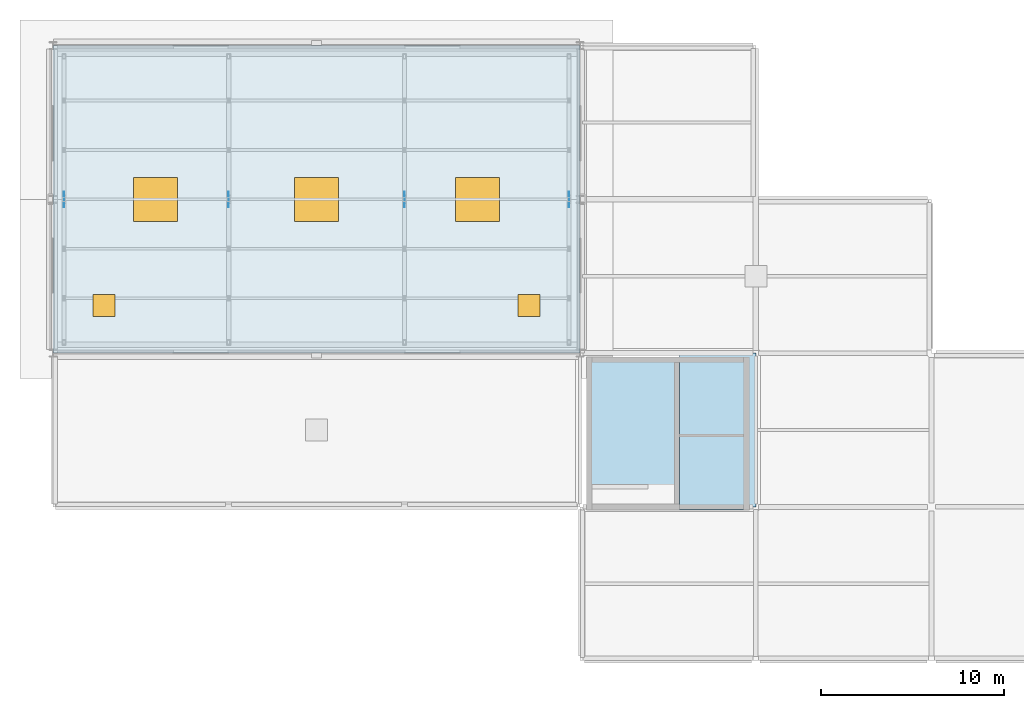
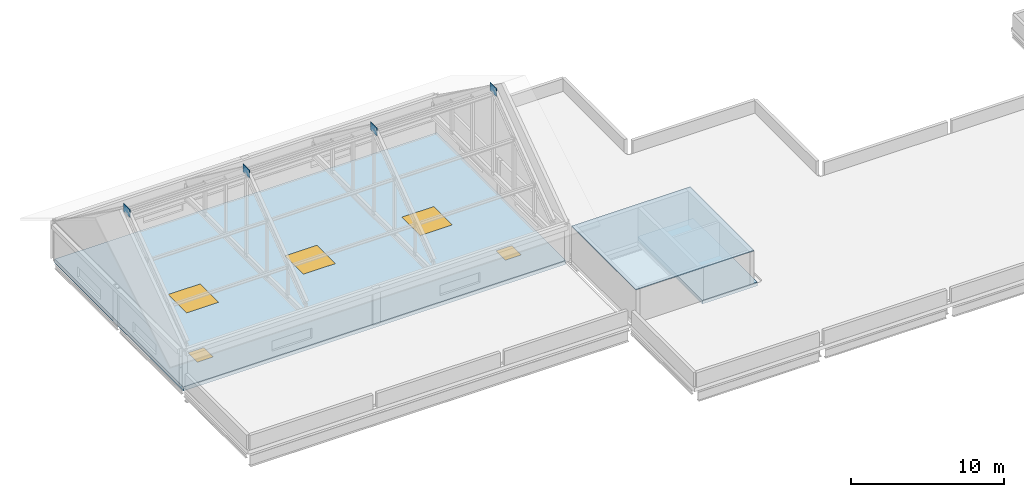
# One storey, part 8 of 10: 5 plates, 3 windows, 2 doors, 2 slabs, 5 openings.
"""IFC4 building model written with IfcOpenShell, lengths in metres."""

from ifc_helpers import new_model, si_unit, direction, frame, origin, origin_2d, place, context, subcontext, project, spatial, polyline, rectangle, outline, extrude, material, layer, layer_set, type_object, element, fill, save


model = new_model("IFC4")

# Units and contexts
model_context = context("Model", 3, precision=1e-05, world=origin(), true_north=direction((0.0, 1.0)))
body_context = subcontext(model_context, "Body", "Model", "MODEL_VIEW")
ifc_project = project(units=[si_unit("LENGTHUNIT", "METRE"), si_unit("AREAUNIT", "SQUARE_METRE"), si_unit("VOLUMEUNIT", "CUBIC_METRE"), si_unit("PLANEANGLEUNIT", "RADIAN"), si_unit("MASSUNIT", "GRAM", prefix="KILO")], contexts=[model_context])

# Site, building, storey
site_placement = place(None, origin())
site = spatial("IfcSite", under=ifc_project, at=site_placement, CompositionType="ELEMENT")
building_placement = place(site_placement, origin())
building = spatial("IfcBuilding", under=site, at=building_placement, Name="Lornevale Opera House", CompositionType="ELEMENT")
storey_placement = place(building_placement, frame((0.0, 0.0, 31.199951171875)))
storey = spatial("IfcBuildingStorey", under=building, at=storey_placement, Name="RF", CompositionType="ELEMENT", Elevation=31.199951171875)

# Plates
ifc_material_1 = material(Name="Structural Steel CSA G40.21 Grade 350W (350 MPa)", Category="steel")
ifc_layer_1 = layer(ifc_material_1, 8.360107421875)
ifc_layer_set_1 = layer_set([ifc_layer_1], Name="Structural Steel CSA G40.21 Grade 350W (350 MPa)")
plate_type_1 = type_object("IfcPlateType", Name="Bulkhead Weather Hood Plate 8920x8360x60", PredefinedType="SHEET", material=ifc_layer_set_1)
plate_placement = place(storey_placement, frame((100.800048828125, 62.820068359375, 2.699951171875), z_axis=(0.0, 0.0, 1.0), x_axis=(1.0, 0.0, 0.0)))
element("IfcPlate", 1, at=plate_placement, inside=storey, type_object=plate_type_1, Name="Crown Stair Bulkhead Weather Hood Plate PT-BH-0001", PredefinedType="SHEET", context=body_context, shape_type="SweptSolid", body=[
    extrude(rectangle(XDim=8.919921875, YDim=8.360107421875, at=origin_2d()), origin(), (0.0, 0.0, 1.0), 0.06005859375),
])
ifc_layer_2 = layer(ifc_material_1, 0.02490234375)
ifc_layer_set_2 = layer_set([ifc_layer_2], Name="Structural Steel CSA G40.21 Grade 350W (350 MPa)")
plate_type_2 = type_object("IfcPlateType", Name="Fly Tower Truss Gusset 850x650x25", PredefinedType="USERDEFINED", material=ifc_layer_set_2)
for number, where, z_axis, x_axis, name in (
    (2, (67.800048828125, 75.60009765625, 8.425048828125), (0.0, 0.0, 1.0), (0.0, 1.0, 0.0), "Fly Tower Truss Gusset PT-0030"),
    (3, (76.800048828125, 75.60009765625, 8.425048828125), (0.0, 0.0, 1.0), (0.0, 1.0, 0.0), "Fly Tower Truss Gusset PT-0031"),
    (4, (86.39990234375, 75.60009765625, 8.425048828125), (0.0, 0.0, 1.0), (0.0, 1.0, 0.0), "Fly Tower Truss Gusset PT-0032"),
    (5, (95.39990234375, 75.60009765625, 8.425048828125), (0.0, 0.0, 1.0), (0.0, 1.0, 0.0), "Fly Tower Truss Gusset PT-0033"),
):
    element("IfcPlate", number, at=place(storey_placement, frame(where, z_axis=z_axis, x_axis=x_axis)), inside=storey, type_object=plate_type_2, Name=name, ObjectType="GUSSET PLATE", PredefinedType="USERDEFINED", context=body_context, shape_type="SweptSolid", body=[
        extrude(rectangle(XDim=0.85009765625, YDim=0.02490234375, at=origin_2d()), origin(), (0.0, 0.0, 1.0), 0.64990234375),
    ])

# Slab, openings, doors, windows
ifc_material_2 = material(Name="Concrete 40 MPa (CSA A23.1 C-1)", Category="concrete")
ifc_layer_3 = layer(ifc_material_2, 0.320068359375)
ifc_layer_set_3 = layer_set([ifc_layer_3], Name="Concrete 40 MPa (CSA A23.1 C-1)")
slab_type_1 = type_object("IfcSlabType", Name="Stagehouse Acoustic Roof Slab 320", PredefinedType="ROOF", material=ifc_layer_set_3)
slab_1_placement = place(storey_placement, frame((0.0, 0.0, -0.320068359375)))
slab_1 = element("IfcSlab", 6, at=slab_1_placement, inside=storey, type_object=slab_type_1, Name="Stagehouse Acoustic Roof Slab 320 SL-070", PredefinedType="ROOF", context=body_context, shape_type="SweptSolid", body=[
    extrude(outline(polyline([(67.199951171875, 67.199951171875), (96.0, 67.199951171875), (96.0, 84.0), (67.199951171875, 84.0), (67.199951171875, 67.199951171875)])), origin(), (0.0, 0.0, 1.0), 0.320068359375),
])
opening_1_placement = place(slab_1_placement, frame((72.800048828125, 75.60009765625, 0.0)))
opening_1 = element("IfcOpeningElement", 7, at=opening_1_placement, cuts=slab_1, Name="Opening WN-T22", PredefinedType="OPENING", context=body_context, shape_type="SweptSolid", body=[
    extrude(rectangle(XDim=2.39990234375, YDim=2.39990234375, at=origin_2d()), origin(), (0.0, 0.0, 1.0), 0.320068359375),
])
opening_2_placement = place(slab_1_placement, frame((81.60009765625, 75.60009765625, 0.0)))
opening_2 = element("IfcOpeningElement", 8, at=opening_2_placement, cuts=slab_1, Name="Opening WN-T22", PredefinedType="OPENING", context=body_context, shape_type="SweptSolid", body=[
    extrude(rectangle(XDim=2.39990234375, YDim=2.39990234375, at=origin_2d()), origin(), (0.0, 0.0, 1.0), 0.320068359375),
])
opening_3_placement = place(slab_1_placement, frame((90.39990234375, 75.60009765625, 0.0)))
opening_3 = element("IfcOpeningElement", 9, at=opening_3_placement, cuts=slab_1, Name="Opening WN-T22", PredefinedType="OPENING", context=body_context, shape_type="SweptSolid", body=[
    extrude(rectangle(XDim=2.39990234375, YDim=2.39990234375, at=origin_2d()), origin(), (0.0, 0.0, 1.0), 0.320068359375),
])
opening_4_placement = place(slab_1_placement, frame((93.199951171875, 69.800048828125, 0.0)))
opening_4 = element("IfcOpeningElement", 10, at=opening_4_placement, cuts=slab_1, Name="Opening DR-T09", PredefinedType="OPENING", context=body_context, shape_type="SweptSolid", body=[
    extrude(rectangle(XDim=1.199951171875, YDim=1.199951171875, at=origin_2d()), origin(), (0.0, 0.0, 1.0), 0.320068359375),
])
opening_5_placement = place(slab_1_placement, frame((70.0, 69.800048828125, 0.0)))
opening_5 = element("IfcOpeningElement", 11, at=opening_5_placement, cuts=slab_1, Name="Opening DR-T09", PredefinedType="OPENING", context=body_context, shape_type="SweptSolid", body=[
    extrude(rectangle(XDim=1.199951171875, YDim=1.199951171875, at=origin_2d()), origin(), (0.0, 0.0, 1.0), 0.320068359375),
])
ifc_material_3 = material(Name="Painted Hollow Metal Door Steel", Category="steel")
ifc_layer_4 = layer(ifc_material_3, 0.050048828125)
ifc_layer_set_4 = layer_set([ifc_layer_4], Name="Painted Hollow Metal Door Steel")
door_type = type_object("IfcDoorType", Name="Fly Tower Roof Access Hatch 1200x1200", OperationType="NOTDEFINED", PredefinedType="TRAPDOOR", material=ifc_layer_set_4)
door_1_placement = place(opening_4_placement, frame((0.0, 0.0, 0.27001953125)))
door_1 = element("IfcDoor", 12, at=door_1_placement, inside=storey, type_object=door_type, Name="Fly Tower Roof Access Hatch DR-HAT-044", OperationType="SINGLE_SWING_LEFT", OverallHeight=1.199951171875, OverallWidth=1.199951171875, PredefinedType="TRAPDOOR", context=body_context, shape_type="SweptSolid", body=[
    extrude(rectangle(XDim=1.199951171875, YDim=1.199951171875, at=origin_2d()), origin(), (0.0, 0.0, 1.0), 0.050048828125),
])
fill(opening_4, door_1)
door_2_placement = place(opening_5_placement, frame((0.0, 0.0, 0.27001953125)))
door_2 = element("IfcDoor", 13, at=door_2_placement, inside=storey, type_object=door_type, Name="Fly Tower Roof Access Hatch DR-HAT-045", OperationType="SINGLE_SWING_LEFT", OverallHeight=1.199951171875, OverallWidth=1.199951171875, PredefinedType="TRAPDOOR", context=body_context, shape_type="SweptSolid", body=[
    extrude(rectangle(XDim=1.199951171875, YDim=1.199951171875, at=origin_2d()), origin(), (0.0, 0.0, 1.0), 0.050048828125),
])
fill(opening_5, door_2)
ifc_material_4 = material(Name="Triple Low-E Insulated Glazing", Category="glass")
ifc_layer_5 = layer(ifc_material_4, 0.06005859375)
ifc_layer_set_5 = layer_set([ifc_layer_5], Name="Triple Low-E Insulated Glazing")
window_type = type_object("IfcWindowType", Name="Roof Smoke Skylight 2400x2400", PartitioningType="NOTDEFINED", PredefinedType="SKYLIGHT", material=ifc_layer_set_5)
window_1_placement = place(opening_1_placement, frame((0.0, 0.0, 0.27001953125)))
window_1 = element("IfcWindow", 14, at=window_1_placement, inside=storey, type_object=window_type, Name="Stagehouse Smoke Skylight WN-0176", OverallHeight=2.39990234375, OverallWidth=2.39990234375, PartitioningType="SINGLE_PANEL", PredefinedType="SKYLIGHT", context=body_context, shape_type="SweptSolid", body=[
    extrude(rectangle(XDim=2.39990234375, YDim=2.39990234375, at=origin_2d()), origin(), (0.0, 0.0, 1.0), 0.050048828125),
])
fill(opening_1, window_1)
window_2_placement = place(opening_2_placement, frame((0.0, 0.0, 0.27001953125)))
window_2 = element("IfcWindow", 15, at=window_2_placement, inside=storey, type_object=window_type, Name="Stagehouse Smoke Skylight WN-0177", OverallHeight=2.39990234375, OverallWidth=2.39990234375, PartitioningType="SINGLE_PANEL", PredefinedType="SKYLIGHT", context=body_context, shape_type="SweptSolid", body=[
    extrude(rectangle(XDim=2.39990234375, YDim=2.39990234375, at=origin_2d()), origin(), (0.0, 0.0, 1.0), 0.050048828125),
])
fill(opening_2, window_2)
window_3_placement = place(opening_3_placement, frame((0.0, 0.0, 0.27001953125)))
window_3 = element("IfcWindow", 16, at=window_3_placement, inside=storey, type_object=window_type, Name="Stagehouse Smoke Skylight WN-0178", OverallHeight=2.39990234375, OverallWidth=2.39990234375, PartitioningType="SINGLE_PANEL", PredefinedType="SKYLIGHT", context=body_context, shape_type="SweptSolid", body=[
    extrude(rectangle(XDim=2.39990234375, YDim=2.39990234375, at=origin_2d()), origin(), (0.0, 0.0, 1.0), 0.050048828125),
])
fill(opening_3, window_3)

# Slab
ifc_material_5 = material(Name="Concrete 35 MPa (CSA A23.1 N)", Category="concrete")
ifc_layer_6 = layer(ifc_material_5, 0.2900390625)
ifc_layer_set_6 = layer_set([ifc_layer_6], Name="Concrete 35 MPa (CSA A23.1 N)")
slab_type_2 = type_object("IfcSlabType", Name="Vegetated Green Roof Slab 290", PredefinedType="ROOF", material=ifc_layer_set_6)
slab_2_placement = place(storey_placement, frame((0.0, 0.0, -0.2900390625)))
element("IfcSlab", 17, at=slab_2_placement, inside=storey, type_object=slab_type_2, Name="Unoccupied Maintenance Vegetated Green Roof Slab SL-072", PredefinedType="ROOF", context=body_context, shape_type="SweptSolid", body=[
    extrude(outline(polyline([(101.43994140625, 58.800048828125), (105.60009765625, 58.800048828125), (105.60009765625, 67.199951171875), (101.43994140625, 67.199951171875), (101.43994140625, 58.800048828125)])), origin(), (0.0, 0.0, 1.0), 0.2900390625),
])

save(model, "model.ifc")
